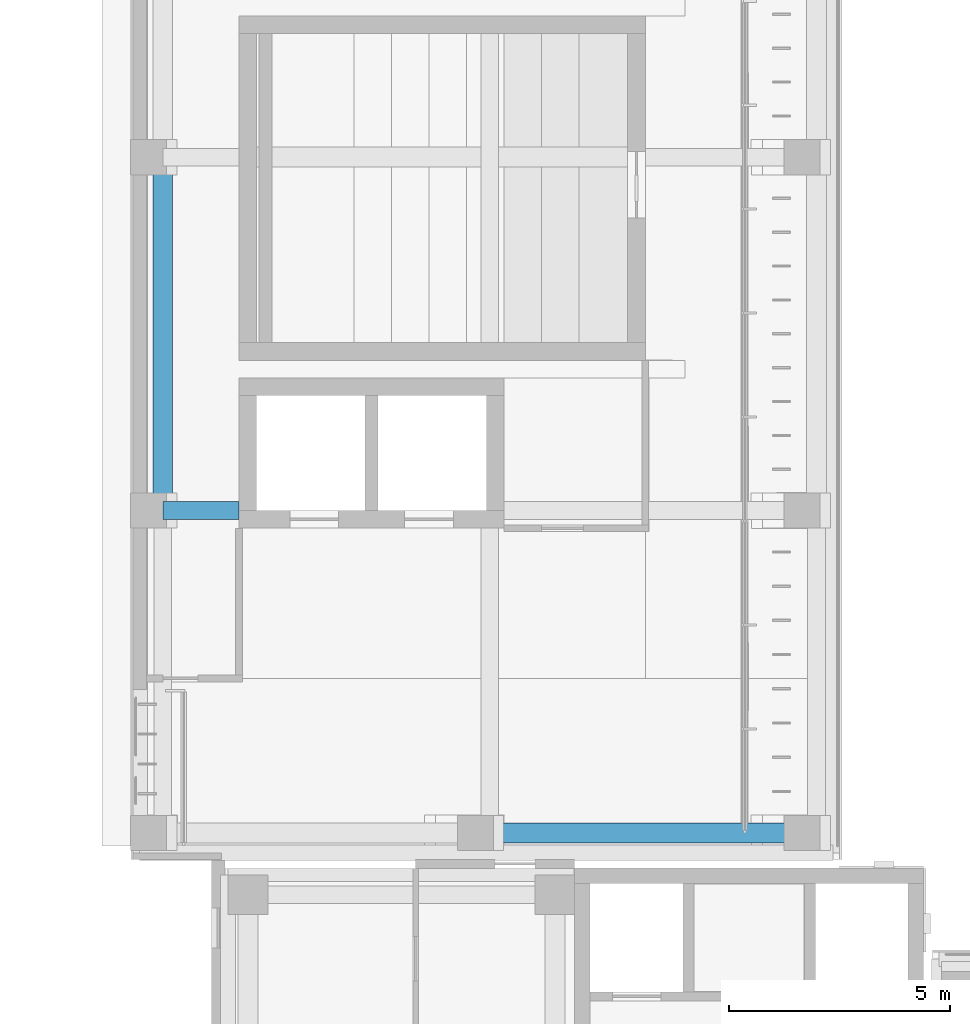
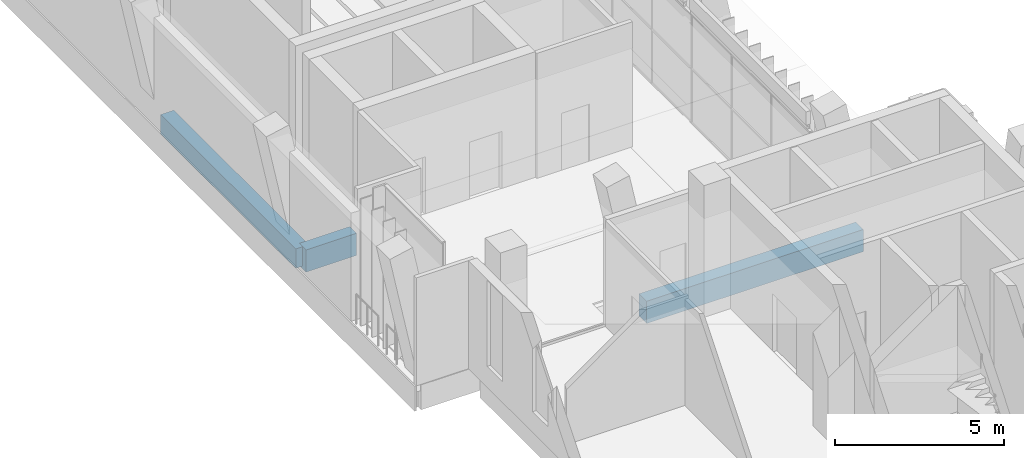
# One storey, part 60 of 141: 3 beams.
"""IFC4 building model written with IfcOpenShell, lengths in metres."""

from ifc_helpers import new_model, si_unit, direction, frame, origin, origin_2d, place, context, subcontext, project, spatial, rectangle, extrude, material, material_profile, profile_set, type_object, element, save


model = new_model("IFC4")

# Units and contexts
model_context = context("Model", 3, precision=1e-05, world=origin(), true_north=direction((0.0, 1.0)))
body_context = subcontext(model_context, "Body", "Model", "MODEL_VIEW")
ifc_project = project(units=[si_unit("LENGTHUNIT", "METRE"), si_unit("AREAUNIT", "SQUARE_METRE"), si_unit("VOLUMEUNIT", "CUBIC_METRE"), si_unit("PLANEANGLEUNIT", "RADIAN"), si_unit("MASSUNIT", "GRAM", prefix="KILO")], contexts=[model_context])

# Site, building, storey
site_placement = place(None, origin())
site = spatial("IfcSite", under=ifc_project, at=site_placement, CompositionType="ELEMENT")
building_placement = place(site_placement, origin())
building = spatial("IfcBuilding", under=site, at=building_placement, Name="Lantern Court Media Centre", CompositionType="ELEMENT")
storey_placement = place(building_placement, frame((0.0, 0.0, 9.60009765625)))
storey = spatial("IfcBuildingStorey", under=building, at=storey_placement, Name="L02", CompositionType="ELEMENT", Elevation=9.60009765625)

# Beams
ifc_material = material(Name="Concrete C35", Category="concrete")
ifc_material_profile_1 = material_profile(ifc_material, rectangle(XDim=0.39990234375, YDim=0.800048828125, at=origin_2d()), Name="RC 400x800")
ifc_profile_set_1 = profile_set([ifc_material_profile_1], Name="Concrete C35")
beam_type_1 = type_object("IfcBeamType", Name="RC BEAM 400x800", PredefinedType="BEAM", material=ifc_profile_set_1)
beam_1_placement = place(storey_placement, frame((6.683349609375, 72.0, -0.400146484375), z_axis=(1.0, 0.0, 0.0), x_axis=(0.0, 1.0, 0.0)))
element("IfcBeam", 1, at=beam_1_placement, inside=storey, type_object=beam_type_1, Name="TB-W-L02-1-1", PredefinedType="BEAM", context=body_context, shape_type="SweptSolid", body=[
    extrude(rectangle(XDim=0.39990234375, YDim=0.800048828125, at=origin_2d()), origin(), (0.0, 0.0, 1.0), 1.716552734375),
])
ifc_material_profile_2 = material_profile(ifc_material, rectangle(XDim=0.449951171875, YDim=0.699951171875, at=origin_2d()), Name="RC 450x700")
ifc_profile_set_2 = profile_set([ifc_material_profile_2], Name="Concrete C35")
beam_type_2 = type_object("IfcBeamType", Name="RC BEAM 450x700", PredefinedType="BEAM", material=ifc_profile_set_2)
beam_2_placement = place(storey_placement, frame((6.6728515625, 72.0, -0.35009765625), z_axis=(0.0, 1.0, 0.0), x_axis=(-1.0, 0.0, 0.0)))
element("IfcBeam", 2, at=beam_2_placement, inside=storey, type_object=beam_type_2, Name="LB-W-L02-0-1", PredefinedType="BEAM", context=body_context, shape_type="SweptSolid", body=[
    extrude(rectangle(XDim=0.449951171875, YDim=0.699951171875, at=origin_2d()), origin(), (0.0, 0.0, 1.0), 8.0),
])
ifc_material_profile_3 = material_profile(ifc_material, rectangle(XDim=0.449951171875, YDim=0.800048828125, at=origin_2d()), Name="RC 450x800")
ifc_profile_set_3 = profile_set([ifc_material_profile_3], Name="Concrete C35")
beam_type_3 = type_object("IfcBeamType", Name="RC BEAM 450x800", PredefinedType="BEAM", material=ifc_profile_set_3)
beam_3_placement = place(storey_placement, frame((14.083251953125, 64.699951171875, -0.400146484375), z_axis=(1.0, 0.0, 0.0), x_axis=(0.0, 1.0, 0.0)))
element("IfcBeam", 3, at=beam_3_placement, inside=storey, type_object=beam_type_3, Name="TB-W-L02-0-2", PredefinedType="BEAM", context=body_context, shape_type="SweptSolid", body=[
    extrude(rectangle(XDim=0.449951171875, YDim=0.800048828125, at=origin_2d()), origin(), (0.0, 0.0, 1.0), 7.400146484375),
])

save(model, "model.ifc")
